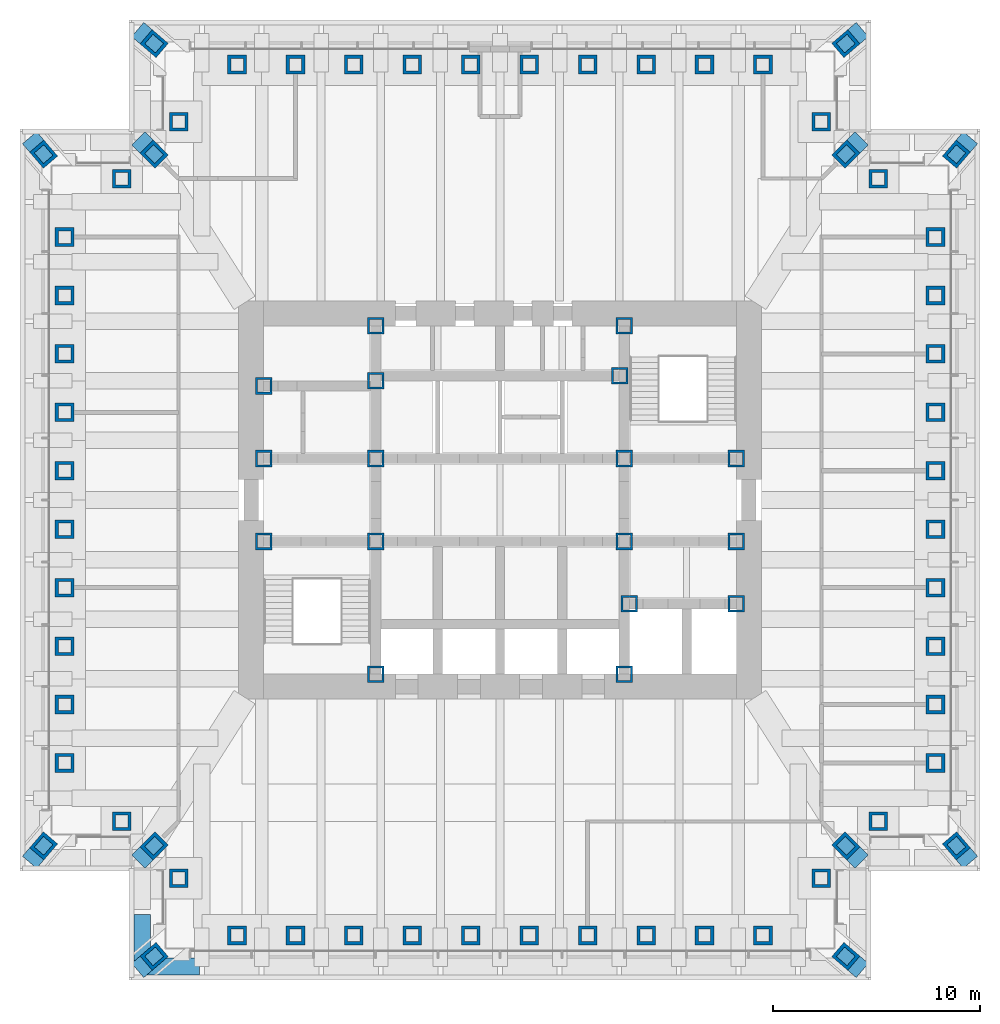
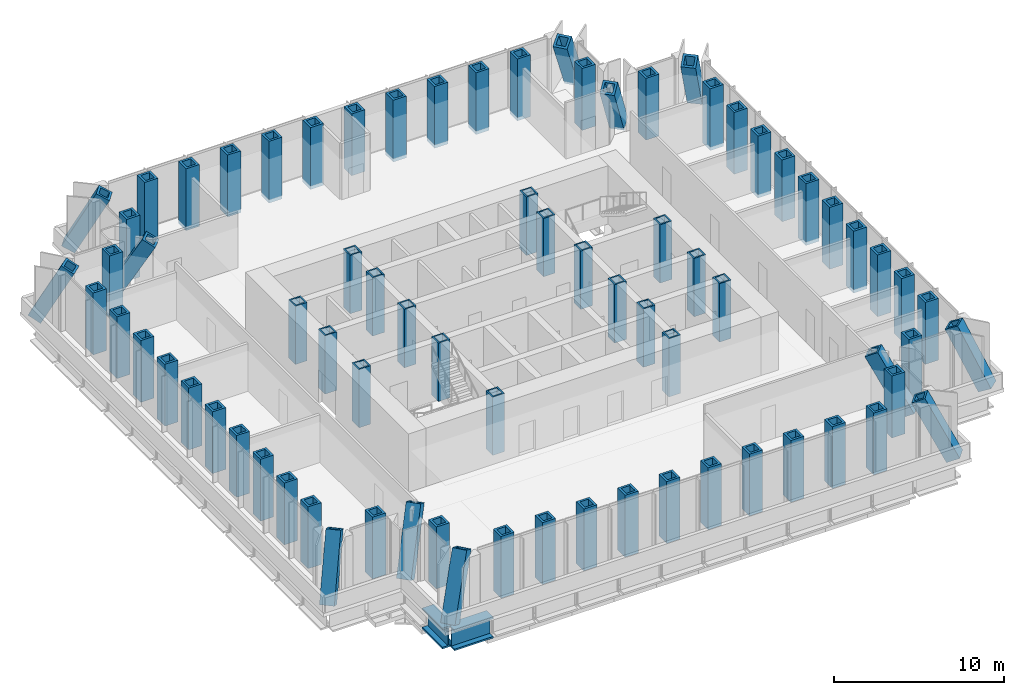
# One storey, part 1 of 12: 77 columns, 2 beams.
"""IFC4 building model written with IfcOpenShell, lengths in metres."""

import ifcopenshell
import ifcopenshell.guid

model = None  # the IFC model being written
_history = None  # IfcOwnerHistory: only IFC2X3 demands one
_inside = {}  # id of a spatial element -> (the spatial element, [elements in it])
_under = {}  # id of a project, library or spatial element -> (it, [spatial elements below it])
_declared = {}  # id of a project -> (the project, [libraries it declares])
_typed = {}  # id of a type object -> (the type object, [elements of that type])
_made_of = {}  # id of a material, layer set ... -> (it, [elements and type objects made of it])


def new_model(schema):
    """Start an empty IFC model of exactly this schema.

    Asked for "IFC4X3", IfcOpenShell would pick the latest addendum, in which some entities
    have other attributes; the version numbers below select the first issue.
    IFC2X3 requires an IfcOwnerHistory on every rooted entity: one is made here for all.
    """
    global model, _history
    if schema == "IFC4X3":
        model = ifcopenshell.file(schema_version=(4, 3, 0, 0))
    else:
        model = ifcopenshell.file(schema=schema)
    _inside.clear()
    _under.clear()
    _declared.clear()
    _typed.clear()
    _made_of.clear()
    _history = None
    if model.schema == "IFC2X3":
        org = make("IfcOrganization", Name="unknown")
        user = make(
            "IfcPersonAndOrganization",
            ThePerson=make("IfcPerson", FamilyName="unknown"),
            TheOrganization=org,
        )
        app = make(
            "IfcApplication",
            ApplicationDeveloper=org,
            Version="unknown",
            ApplicationFullName="unknown",
            ApplicationIdentifier="unknown",
        )
        _history = make(
            "IfcOwnerHistory",
            OwningUser=user,
            OwningApplication=app,
            ChangeAction="ADDED",
            CreationDate=0,
        )
    return model


def make(cls, **values):
    """One entity of the class cls with the attributes given. An attribute that is None is left unset."""
    return model.create_entity(
        cls, **{name: value for name, value in values.items() if value is not None}
    )


def rooted(cls, **values):
    """An entity with a GlobalId (a new one), such as an element, a storey or a relation."""
    return make(cls, GlobalId=ifcopenshell.guid.new(), OwnerHistory=_history, **values)


def si_unit(unit_type, name, prefix=None):
    """IfcSIUnit, for example si_unit("LENGTHUNIT", "METRE", prefix="MILLI")."""
    return make("IfcSIUnit", UnitType=unit_type, Prefix=prefix, Name=name)


def assignment(units):
    """IfcUnitAssignment: the units of a project."""
    return None if units is None else make("IfcUnitAssignment", Units=units)


def point(xyz):
    """IfcCartesianPoint."""
    return None if xyz is None else make("IfcCartesianPoint", Coordinates=xyz)


def direction(xyz):
    """IfcDirection."""
    return None if xyz is None else make("IfcDirection", DirectionRatios=xyz)


def frame(location, z_axis=None, x_axis=None):
    """IfcAxis2Placement3D, a coordinate frame: its origin and axes. An axis left out is left unset."""
    return make(
        "IfcAxis2Placement3D",
        Location=point(location),
        Axis=direction(z_axis),
        RefDirection=direction(x_axis),
    )


def frame_2d(location, x_axis=None):
    """IfcAxis2Placement2D, a coordinate frame in the plane: its origin and x axis."""
    return make(
        "IfcAxis2Placement2D", Location=point(location), RefDirection=direction(x_axis)
    )


def origin():
    """The frame at (0, 0, 0) with its axes left unset."""
    return frame((0.0, 0.0, 0.0))


def origin_2d():
    """The frame at (0, 0) in the plane with its x axis left unset."""
    return frame_2d((0.0, 0.0))


def place(relative_to, where):
    """IfcLocalPlacement: puts the frame where relative to a parent placement (None: the world)."""
    return make(
        "IfcLocalPlacement", PlacementRelTo=relative_to, RelativePlacement=where
    )


def context(
    kind, dimensions, precision=None, world=None, true_north=None, identifier=None
):
    """IfcGeometricRepresentationContext, for example the 3D "Model" context."""
    return make(
        "IfcGeometricRepresentationContext",
        ContextIdentifier=identifier,
        ContextType=kind,
        CoordinateSpaceDimension=dimensions,
        Precision=precision,
        WorldCoordinateSystem=world,
        TrueNorth=true_north,
    )


def subcontext(parent, identifier, kind, view, scale=None):
    """IfcGeometricRepresentationSubContext, for example "Body" below "Model"."""
    return make(
        "IfcGeometricRepresentationSubContext",
        ContextIdentifier=identifier,
        ContextType=kind,
        ParentContext=parent,
        TargetScale=scale,
        TargetView=view,
    )


def project(units=None, contexts=None):
    """IfcProject with its units and contexts."""
    return rooted(
        "IfcProject",
        Name="project",
        RepresentationContexts=contexts,
        UnitsInContext=assignment(units),
    )


def spatial(cls, under=None, at=None, **own):
    """A site, building, storey or space (cls), placed at a placement, below another one or the project."""
    s = rooted(cls, ObjectPlacement=at, **own)
    if under is not None:
        _under.setdefault(under.id(), (under, []))[1].append(s)
    return s


def profile(cls, at=None, kind="AREA", **sizes):
    """A parametric profile (cls). Its sizes go by their IFC names, for example OverallWidth=200.0."""
    return make(cls, ProfileType=kind, Position=at, **sizes)


def hollow_rectangle(**sizes):
    """IfcRectangleHollowProfileDef."""
    return profile("IfcRectangleHollowProfileDef", **sizes)


def i_section(**sizes):
    """IfcIShapeProfileDef."""
    return profile("IfcIShapeProfileDef", **sizes)


def extrude(swept, where, along, depth):
    """IfcExtrudedAreaSolid: the profile swept, set in the frame where, extruded along a direction by depth."""
    return make(
        "IfcExtrudedAreaSolid",
        SweptArea=swept,
        Position=where,
        ExtrudedDirection=direction(along),
        Depth=depth,
    )


def clip(a, b, op="DIFFERENCE"):
    """IfcBooleanClippingResult: the solid a cut by the half space b."""
    return make(
        "IfcBooleanClippingResult", Operator=op, FirstOperand=a, SecondOperand=b
    )


def halfspace(plane, agree):
    """IfcHalfSpaceSolid: all space on one side of the plane z = 0 of the frame plane."""
    return make(
        "IfcHalfSpaceSolid",
        BaseSurface=make("IfcPlane", Position=plane),
        AgreementFlag=agree,
    )


def shape(context_of_items, identifier, shape_type, items):
    """IfcShapeRepresentation: the items that make up one representation, for example the "Body"."""
    return make(
        "IfcShapeRepresentation",
        ContextOfItems=context_of_items,
        RepresentationIdentifier=identifier,
        RepresentationType=shape_type,
        Items=items,
    )


def material(Name=None, Category=None):
    """IfcMaterial."""
    return make("IfcMaterial", Name=Name, Category=Category)


def material_profile(
    of_material, cross_section, Name=None, Category=None, Priority=None
):
    """IfcMaterialProfile: a cross section and its material."""
    return make(
        "IfcMaterialProfile",
        Name=Name,
        Material=of_material,
        Profile=cross_section,
        Priority=Priority,
        Category=Category,
    )


def profile_set(profiles, Name=None, composite=None):
    """IfcMaterialProfileSet."""
    return make(
        "IfcMaterialProfileSet",
        Name=Name,
        MaterialProfiles=profiles,
        CompositeProfile=composite,
    )


def made_of(thing, what):
    """Note that an element or type object is made of a material, layer set ...; save() writes the relation."""
    if what is not None:
        _made_of.setdefault(what.id(), (what, []))[1].append(thing)
    return thing


def type_object(cls, material=None, **own):
    """A type object (cls), such as IfcWallType, which elements share."""
    return made_of(rooted(cls, **own), material)


def element(
    cls,
    number,
    at=None,
    inside=None,
    cuts=None,
    type_object=None,
    material=None,
    context=None,
    identifier="Body",
    shape_type=None,
    held_by="IfcProductDefinitionShape",
    body=None,
    shapes=None,
    **own,
):
    """One element of the class cls, such as IfcWall. Its Tag is "e" and its number.

    at: its placement. inside: the storey or other place that contains it. cuts: it is an
    opening in that element (IfcRelVoidsElement). A single representation is given by context,
    identifier, shape_type and body (its items); several are given by shapes. held_by: the class
    of the entity that holds the representations. save() writes the other relations.
    """
    e = rooted(cls, Tag="e%d" % number, ObjectPlacement=at, **own)
    if body is not None:
        shapes = [shape(context, identifier, shape_type, body)]
    if shapes is not None:
        e.Representation = make(held_by, Representations=shapes)
    if inside is not None:
        _inside.setdefault(inside.id(), (inside, []))[1].append(e)
    if cuts is not None:
        rooted(
            "IfcRelVoidsElement", RelatingBuildingElement=cuts, RelatedOpeningElement=e
        )
    if type_object is not None:
        _typed.setdefault(type_object.id(), (type_object, []))[1].append(e)
    return made_of(e, material)


def aggregate(whole, parts):
    """IfcRelAggregates: a whole, such as a stair, and the parts it consists of."""
    return rooted("IfcRelAggregates", RelatingObject=whole, RelatedObjects=parts)


def save(model, path):
    """Write the relations noted so far, then the file.

    IfcRelAggregates (storeys below a building ...), IfcRelContainedInSpatialStructure (elements
    in a storey), IfcRelDefinesByType, IfcRelAssociatesMaterial and IfcRelDeclares: one each for
    every whole, place, type object, material and project.
    """
    for whole, parts in _under.values():
        aggregate(whole, parts)
    for where, things in _inside.values():
        rooted(
            "IfcRelContainedInSpatialStructure",
            RelatedElements=things,
            RelatingStructure=where,
        )
    for kind, things in _typed.values():
        rooted("IfcRelDefinesByType", RelatedObjects=things, RelatingType=kind)
    for what, things in _made_of.values():
        rooted("IfcRelAssociatesMaterial", RelatedObjects=things, RelatingMaterial=what)
    for by, libraries in _declared.values():
        rooted("IfcRelDeclares", RelatingContext=by, RelatedDefinitions=libraries)
    model.write(path)


model = new_model("IFC4")

# Units and contexts
model_context = context("Model", 3, precision=1e-05, world=origin(), true_north=direction((0.0, 1.0)))
body_context = subcontext(model_context, "Body", "Model", "MODEL_VIEW")
ifc_project = project(units=[si_unit("LENGTHUNIT", "METRE"), si_unit("AREAUNIT", "SQUARE_METRE"), si_unit("VOLUMEUNIT", "CUBIC_METRE"), si_unit("PLANEANGLEUNIT", "RADIAN"), si_unit("MASSUNIT", "GRAM", prefix="KILO")], contexts=[model_context])

# Site, building, storey
site_placement = place(None, origin())
site = spatial("IfcSite", under=ifc_project, at=site_placement, CompositionType="ELEMENT")
building_placement = place(site_placement, origin())
building = spatial("IfcBuilding", under=site, at=building_placement, Name="Daluyong Arena Tower", CompositionType="ELEMENT")
storey_placement = place(building_placement, frame((0.0, 0.0, 181.300048828125)))
storey = spatial("IfcBuildingStorey", under=building, at=storey_placement, Name="L40", CompositionType="ELEMENT", Elevation=181.300048828125)

# Columns
ifc_material_1 = material(Name="Steel ASTM A572 Grade 50", Category="steel")
ifc_material_profile_1 = material_profile(ifc_material_1, hollow_rectangle(XDim=0.800048828125, YDim=0.800048828125, WallThickness=0.1, at=origin_2d()))
ifc_profile_set_1 = profile_set([ifc_material_profile_1], Name="Steel ASTM A572 Grade 50")
column_type_1 = type_object("IfcColumnType", Name="Core boundary column BX800X100", PredefinedType="COLUMN", material=ifc_profile_set_1)
for number, where, z_axis, x_axis, name in (
    (1, (44.60009765625, 78.0, 0.0), (0.0, 0.0, 1.0), (1.0, 0.0, 0.0), "core boundary column BC2"),
    (2, (44.60009765625, 82.0, 0.0), (0.0, 0.0, 1.0), (1.0, 0.0, 0.0), "core boundary column BC2"),
    (3, (44.60009765625, 85.5, 0.0), (0.0, 0.0, 1.0), (1.0, 0.0, 0.0), "core boundary column BC2"),
    (4, (50.0, 71.60009765625, 0.0), (0.0, 0.0, 1.0), (1.0, 0.0, 0.0), "core boundary column BC2"),
    (5, (50.0, 78.0, 0.0), (0.0, 0.0, 1.0), (1.0, 0.0, 0.0), "core boundary column BC2"),
    (6, (50.0, 82.0, 0.0), (0.0, 0.0, 1.0), (1.0, 0.0, 0.0), "core boundary column BC2"),
    (7, (50.0, 85.75, 0.0), (0.0, 0.0, 1.0), (1.0, 0.0, 0.0), "core boundary column BC2"),
    (8, (50.0, 88.39990234375, 0.0), (0.0, 0.0, 1.0), (1.0, 0.0, 0.0), "core boundary column BC2"),
    (9, (61.77490234375, 86.0, 0.0), (0.0, 0.0, 1.0), (1.0, 0.0, 0.0), "core boundary column BC2"),
    (10, (62.0, 71.60009765625, 0.0), (0.0, 0.0, 1.0), (1.0, 0.0, 0.0), "core boundary column BC2"),
    (11, (62.0, 78.0, 0.0), (0.0, 0.0, 1.0), (1.0, 0.0, 0.0), "core boundary column BC2"),
    (12, (62.0, 82.0, 0.0), (0.0, 0.0, 1.0), (1.0, 0.0, 0.0), "core boundary column BC2"),
    (13, (62.0, 88.39990234375, 0.0), (0.0, 0.0, 1.0), (1.0, 0.0, 0.0), "core boundary column BC2"),
    (14, (62.22509765625, 75.0, 0.0), (0.0, 0.0, 1.0), (1.0, 0.0, 0.0), "core boundary column BC2"),
    (15, (67.39990234375, 75.0, 0.0), (0.0, 0.0, 1.0), (1.0, 0.0, 0.0), "core boundary column BC2"),
    (16, (67.39990234375, 78.0, 0.0), (0.0, 0.0, 1.0), (1.0, 0.0, 0.0), "core boundary column BC2"),
    (17, (67.39990234375, 82.0, 0.0), (0.0, 0.0, 1.0), (1.0, 0.0, 0.0), "core boundary column BC2"),
):
    element("IfcColumn", number, at=place(storey_placement, frame(where, z_axis=z_axis, x_axis=x_axis)), inside=storey, type_object=column_type_1, Name=name, PredefinedType="COLUMN", context=body_context, shape_type="SweptSolid", body=[
        extrude(hollow_rectangle(XDim=0.800048828125, YDim=0.800048828125, WallThickness=0.1, at=origin_2d()), origin(), (0.0, 0.0, 1.0), 4.199951171875),
    ])
ifc_material_2 = material(Name="Steel ASTM A588 Grade 50", Category="steel")
ifc_material_profile_2 = material_profile(ifc_material_2, hollow_rectangle(XDim=0.89990234375, YDim=0.89990234375, WallThickness=0.15, at=origin_2d()))
ifc_profile_set_2 = profile_set([ifc_material_profile_2], Name="Steel ASTM A588 Grade 50")
column_type_2 = type_object("IfcColumnType", Name="Transition column BX900X150", PredefinedType="COLUMN", material=ifc_profile_set_2)
for number, where, z_axis, x_axis, name in (
    (18, (38.75, 57.5, -0.25), (0.349200787792, 0.299314960964, 0.887957974202), (-0.650791373456, 0.759256602365, 0.0), "transition column TT2"),
    (19, (73.25, 57.5, -0.25), (-0.349200787792, 0.299314960964, 0.887957974202), (-0.650791373456, -0.759256602365, 0.0), "transition column TT2"),
):
    element("IfcColumn", number, at=place(storey_placement, frame(where, z_axis=z_axis, x_axis=x_axis)), inside=storey, type_object=column_type_2, Name=name, PredefinedType="COLUMN", context=body_context, shape_type="Clipping", body=[
        clip(clip(extrude(hollow_rectangle(XDim=0.89990234375, YDim=0.89990234375, WallThickness=0.15, at=origin_2d()), origin(), (0.0, 0.0, 1.0), 5.011474609375), halfspace(frame((0.0, 0.0, 0.2353515625), z_axis=(0.0, 0.0, 1.0), x_axis=(1.0, 0.0, 0.0)), True)), halfspace(frame((0.0, 0.0, 4.776123046875), z_axis=(0.0, 0.0, -1.0), x_axis=(1.0, 0.0, 0.0)), True)),
    ])
column_1_placement = place(storey_placement, frame((73.25, 62.75, -0.25), z_axis=(-0.343685624304, 0.343685624304, 0.873933855216), x_axis=(-0.707106781187, -0.707106781187, 0.0)))
element("IfcColumn", 20, at=column_1_placement, inside=storey, type_object=column_type_2, Name="transition column TT2", PredefinedType="COLUMN", context=body_context, shape_type="Clipping", body=[
    clip(clip(extrude(hollow_rectangle(XDim=0.89990234375, YDim=0.89990234375, WallThickness=0.15, at=origin_2d()), origin(), (0.0, 0.0, 1.0), 5.091796875), halfspace(frame((0.0, 0.0, 0.252685546875), z_axis=(0.0, 0.0, 1.0), x_axis=(1.0, 0.0, 0.0)), True)), halfspace(frame((0.0, 0.0, 4.839111328125), z_axis=(0.0, 0.0, -1.0), x_axis=(1.0, 0.0, 0.0)), True)),
])
for number, where, z_axis, x_axis, name in (
    (21, (78.5, 62.75, -0.25), (-0.299314960964, 0.349200787792, 0.887957974202), (-0.759256602365, -0.650791373456, 0.0), "transition column TT2"),
    (22, (78.5, 97.25, -0.25), (-0.299314960964, -0.349200787792, 0.887957974202), (0.759256602365, -0.650791373456, 0.0), "transition column TT2"),
):
    element("IfcColumn", number, at=place(storey_placement, frame(where, z_axis=z_axis, x_axis=x_axis)), inside=storey, type_object=column_type_2, Name=name, PredefinedType="COLUMN", context=body_context, shape_type="Clipping", body=[
        clip(clip(extrude(hollow_rectangle(XDim=0.89990234375, YDim=0.89990234375, WallThickness=0.15, at=origin_2d()), origin(), (0.0, 0.0, 1.0), 5.011474609375), halfspace(frame((0.0, 0.0, 0.2353515625), z_axis=(0.0, 0.0, 1.0), x_axis=(1.0, 0.0, 0.0)), True)), halfspace(frame((0.0, 0.0, 4.776123046875), z_axis=(0.0, 0.0, -1.0), x_axis=(1.0, 0.0, 0.0)), True)),
    ])
column_2_placement = place(storey_placement, frame((73.25, 97.25, -0.25), z_axis=(-0.343685624304, -0.343685624304, 0.873933855216), x_axis=(0.707106781187, -0.707106781187, 0.0)))
element("IfcColumn", 23, at=column_2_placement, inside=storey, type_object=column_type_2, Name="transition column TT2", PredefinedType="COLUMN", context=body_context, shape_type="Clipping", body=[
    clip(clip(extrude(hollow_rectangle(XDim=0.89990234375, YDim=0.89990234375, WallThickness=0.15, at=origin_2d()), origin(), (0.0, 0.0, 1.0), 5.091796875), halfspace(frame((0.0, 0.0, 0.252685546875), z_axis=(0.0, 0.0, 1.0), x_axis=(1.0, 0.0, 0.0)), True)), halfspace(frame((0.0, 0.0, 4.839111328125), z_axis=(0.0, 0.0, -1.0), x_axis=(1.0, 0.0, 0.0)), True)),
])
for number, where, z_axis, x_axis, name in (
    (24, (73.25, 102.5, -0.25), (-0.349200787792, -0.299314960964, 0.887957974202), (0.650791373456, -0.759256602365, 0.0), "transition column TT2"),
    (25, (38.75, 102.5, -0.25), (0.349200787792, -0.299314960964, 0.887957974202), (0.650791373456, 0.759256602365, 0.0), "transition column TT2"),
):
    element("IfcColumn", number, at=place(storey_placement, frame(where, z_axis=z_axis, x_axis=x_axis)), inside=storey, type_object=column_type_2, Name=name, PredefinedType="COLUMN", context=body_context, shape_type="Clipping", body=[
        clip(clip(extrude(hollow_rectangle(XDim=0.89990234375, YDim=0.89990234375, WallThickness=0.15, at=origin_2d()), origin(), (0.0, 0.0, 1.0), 5.011474609375), halfspace(frame((0.0, 0.0, 0.2353515625), z_axis=(0.0, 0.0, 1.0), x_axis=(1.0, 0.0, 0.0)), True)), halfspace(frame((0.0, 0.0, 4.776123046875), z_axis=(0.0, 0.0, -1.0), x_axis=(1.0, 0.0, 0.0)), True)),
    ])
column_3_placement = place(storey_placement, frame((38.75, 97.25, -0.25), z_axis=(0.343685624304, -0.343685624304, 0.873933855216), x_axis=(0.707106781187, 0.707106781187, 0.0)))
element("IfcColumn", 26, at=column_3_placement, inside=storey, type_object=column_type_2, Name="transition column TT2", PredefinedType="COLUMN", context=body_context, shape_type="Clipping", body=[
    clip(clip(extrude(hollow_rectangle(XDim=0.89990234375, YDim=0.89990234375, WallThickness=0.15, at=origin_2d()), origin(), (0.0, 0.0, 1.0), 5.091796875), halfspace(frame((0.0, 0.0, 0.252685546875), z_axis=(0.0, 0.0, 1.0), x_axis=(1.0, 0.0, 0.0)), True)), halfspace(frame((0.0, 0.0, 4.839111328125), z_axis=(0.0, 0.0, -1.0), x_axis=(1.0, 0.0, 0.0)), True)),
])
for number, where, z_axis, x_axis, name in (
    (27, (33.5, 97.25, -0.25), (0.299314960964, -0.349200787792, 0.887957974202), (0.759256602365, 0.650791373456, 0.0), "transition column TT2"),
    (28, (33.5, 62.75, -0.25), (0.299314960964, 0.349200787792, 0.887957974202), (-0.759256602365, 0.650791373456, 0.0), "transition column TT2"),
):
    element("IfcColumn", number, at=place(storey_placement, frame(where, z_axis=z_axis, x_axis=x_axis)), inside=storey, type_object=column_type_2, Name=name, PredefinedType="COLUMN", context=body_context, shape_type="Clipping", body=[
        clip(clip(extrude(hollow_rectangle(XDim=0.89990234375, YDim=0.89990234375, WallThickness=0.15, at=origin_2d()), origin(), (0.0, 0.0, 1.0), 5.011474609375), halfspace(frame((0.0, 0.0, 0.2353515625), z_axis=(0.0, 0.0, 1.0), x_axis=(1.0, 0.0, 0.0)), True)), halfspace(frame((0.0, 0.0, 4.776123046875), z_axis=(0.0, 0.0, -1.0), x_axis=(1.0, 0.0, 0.0)), True)),
    ])
column_4_placement = place(storey_placement, frame((38.75, 62.75, -0.25), z_axis=(0.343685624304, 0.343685624304, 0.873933855216), x_axis=(-0.707106781187, 0.707106781187, 0.0)))
element("IfcColumn", 29, at=column_4_placement, inside=storey, type_object=column_type_2, Name="transition column TT2", PredefinedType="COLUMN", context=body_context, shape_type="Clipping", body=[
    clip(clip(extrude(hollow_rectangle(XDim=0.89990234375, YDim=0.89990234375, WallThickness=0.15, at=origin_2d()), origin(), (0.0, 0.0, 1.0), 5.091796875), halfspace(frame((0.0, 0.0, 0.252685546875), z_axis=(0.0, 0.0, 1.0), x_axis=(1.0, 0.0, 0.0)), True)), halfspace(frame((0.0, 0.0, 4.839111328125), z_axis=(0.0, 0.0, -1.0), x_axis=(1.0, 0.0, 0.0)), True)),
])
ifc_material_3 = material(Name="Steel ASTM A588 Grade 50", Category="steel")
ifc_material_profile_3 = material_profile(ifc_material_3, hollow_rectangle(XDim=0.89990234375, YDim=0.89990234375, WallThickness=0.15, at=origin_2d()))
ifc_profile_set_3 = profile_set([ifc_material_profile_3], Name="Steel ASTM A588 Grade 50")
column_type_3 = type_object("IfcColumnType", Name="Tube column BX900X150 BX900X150", PredefinedType="COLUMN", material=ifc_profile_set_3)
for number, where, z_axis, x_axis, name in (
    (30, (43.318115234375, 59.0, -0.25), (0.0, 0.0, 1.0), (1.0, 0.0, 0.0), "tube column bx900x150 TC5"),
    (31, (46.136474609375, 59.0, -0.25), (0.0, 0.0, 1.0), (1.0, 0.0, 0.0), "tube column bx900x150 TC5"),
    (32, (48.95458984375, 59.0, -0.25), (0.0, 0.0, 1.0), (1.0, 0.0, 0.0), "tube column bx900x150 TC5"),
    (33, (51.772705078125, 59.0, -0.25), (0.0, 0.0, 1.0), (1.0, 0.0, 0.0), "tube column bx900x150 TC5"),
    (34, (54.5908203125, 59.0, -0.25), (0.0, 0.0, 1.0), (1.0, 0.0, 0.0), "tube column bx900x150 TC5"),
    (35, (57.4091796875, 59.0, -0.25), (0.0, 0.0, 1.0), (1.0, 0.0, 0.0), "tube column bx900x150 TC5"),
    (36, (60.227294921875, 59.0, -0.25), (0.0, 0.0, 1.0), (1.0, 0.0, 0.0), "tube column bx900x150 TC5"),
    (37, (63.04541015625, 59.0, -0.25), (0.0, 0.0, 1.0), (1.0, 0.0, 0.0), "tube column bx900x150 TC5"),
    (38, (65.863525390625, 59.0, -0.25), (0.0, 0.0, 1.0), (1.0, 0.0, 0.0), "tube column bx900x150 TC5"),
    (39, (68.681884765625, 59.0, -0.25), (0.0, 0.0, 1.0), (1.0, 0.0, 0.0), "tube column bx900x150 TC5"),
    (40, (71.5, 61.75, -0.25), (0.0, 0.0, 1.0), (0.0, 1.0, 0.0), "tube column bx900x150 TC5"),
    (41, (74.25, 64.5, -0.25), (0.0, 0.0, 1.0), (1.0, 0.0, 0.0), "tube column bx900x150 TC5"),
    (42, (77.0, 67.318115234375, -0.25), (0.0, 0.0, 1.0), (0.0, 1.0, 0.0), "tube column bx900x150 TC5"),
    (43, (77.0, 70.136474609375, -0.25), (0.0, 0.0, 1.0), (0.0, 1.0, 0.0), "tube column bx900x150 TC5"),
    (44, (77.0, 72.95458984375, -0.25), (0.0, 0.0, 1.0), (0.0, 1.0, 0.0), "tube column bx900x150 TC5"),
    (45, (77.0, 75.772705078125, -0.25), (0.0, 0.0, 1.0), (0.0, 1.0, 0.0), "tube column bx900x150 TC5"),
    (46, (77.0, 78.5908203125, -0.25), (0.0, 0.0, 1.0), (0.0, 1.0, 0.0), "tube column bx900x150 TC5"),
    (47, (77.0, 81.4091796875, -0.25), (0.0, 0.0, 1.0), (0.0, 1.0, 0.0), "tube column bx900x150 TC5"),
    (48, (77.0, 84.227294921875, -0.25), (0.0, 0.0, 1.0), (0.0, 1.0, 0.0), "tube column bx900x150 TC5"),
    (49, (77.0, 87.04541015625, -0.25), (0.0, 0.0, 1.0), (0.0, 1.0, 0.0), "tube column bx900x150 TC5"),
    (50, (77.0, 89.863525390625, -0.25), (0.0, 0.0, 1.0), (0.0, 1.0, 0.0), "tube column bx900x150 TC5"),
    (51, (77.0, 92.681884765625, -0.25), (0.0, 0.0, 1.0), (0.0, 1.0, 0.0), "tube column bx900x150 TC5"),
    (52, (74.25, 95.5, -0.25), (0.0, 0.0, 1.0), (1.0, 0.0, 0.0), "tube column bx900x150 TC5"),
    (53, (71.5, 98.25, -0.25), (0.0, 0.0, 1.0), (0.0, 1.0, 0.0), "tube column bx900x150 TC5"),
    (54, (68.681884765625, 101.0, -0.25), (0.0, 0.0, 1.0), (1.0, 0.0, 0.0), "tube column bx900x150 TC5"),
    (55, (65.863525390625, 101.0, -0.25), (0.0, 0.0, 1.0), (1.0, 0.0, 0.0), "tube column bx900x150 TC5"),
    (56, (63.04541015625, 101.0, -0.25), (0.0, 0.0, 1.0), (1.0, 0.0, 0.0), "tube column bx900x150 TC5"),
    (57, (60.227294921875, 101.0, -0.25), (0.0, 0.0, 1.0), (1.0, 0.0, 0.0), "tube column bx900x150 TC5"),
    (58, (57.4091796875, 101.0, -0.25), (0.0, 0.0, 1.0), (1.0, 0.0, 0.0), "tube column bx900x150 TC5"),
    (59, (54.5908203125, 101.0, -0.25), (0.0, 0.0, 1.0), (1.0, 0.0, 0.0), "tube column bx900x150 TC5"),
    (60, (51.772705078125, 101.0, -0.25), (0.0, 0.0, 1.0), (1.0, 0.0, 0.0), "tube column bx900x150 TC5"),
    (61, (48.95458984375, 101.0, -0.25), (0.0, 0.0, 1.0), (1.0, 0.0, 0.0), "tube column bx900x150 TC5"),
    (62, (46.136474609375, 101.0, -0.25), (0.0, 0.0, 1.0), (1.0, 0.0, 0.0), "tube column bx900x150 TC5"),
    (63, (43.318115234375, 101.0, -0.25), (0.0, 0.0, 1.0), (1.0, 0.0, 0.0), "tube column bx900x150 TC5"),
    (64, (40.5, 98.25, -0.25), (0.0, 0.0, 1.0), (0.0, 1.0, 0.0), "tube column bx900x150 TC5"),
    (65, (37.75, 95.5, -0.25), (0.0, 0.0, 1.0), (1.0, 0.0, 0.0), "tube column bx900x150 TC5"),
    (66, (35.0, 92.681884765625, -0.25), (0.0, 0.0, 1.0), (0.0, 1.0, 0.0), "tube column bx900x150 TC5"),
    (67, (35.0, 89.863525390625, -0.25), (0.0, 0.0, 1.0), (0.0, 1.0, 0.0), "tube column bx900x150 TC5"),
    (68, (35.0, 87.04541015625, -0.25), (0.0, 0.0, 1.0), (0.0, 1.0, 0.0), "tube column bx900x150 TC5"),
    (69, (35.0, 84.227294921875, -0.25), (0.0, 0.0, 1.0), (0.0, 1.0, 0.0), "tube column bx900x150 TC5"),
    (70, (35.0, 81.4091796875, -0.25), (0.0, 0.0, 1.0), (0.0, 1.0, 0.0), "tube column bx900x150 TC5"),
    (71, (35.0, 78.5908203125, -0.25), (0.0, 0.0, 1.0), (0.0, 1.0, 0.0), "tube column bx900x150 TC5"),
    (72, (35.0, 75.772705078125, -0.25), (0.0, 0.0, 1.0), (0.0, 1.0, 0.0), "tube column bx900x150 TC5"),
    (73, (35.0, 72.95458984375, -0.25), (0.0, 0.0, 1.0), (0.0, 1.0, 0.0), "tube column bx900x150 TC5"),
    (74, (35.0, 70.136474609375, -0.25), (0.0, 0.0, 1.0), (0.0, 1.0, 0.0), "tube column bx900x150 TC5"),
    (75, (35.0, 67.318115234375, -0.25), (0.0, 0.0, 1.0), (0.0, 1.0, 0.0), "tube column bx900x150 TC5"),
    (76, (37.75, 64.5, -0.25), (0.0, 0.0, 1.0), (1.0, 0.0, 0.0), "tube column bx900x150 TC5"),
    (77, (40.5, 61.75, -0.25), (0.0, 0.0, 1.0), (0.0, 1.0, 0.0), "tube column bx900x150 TC5"),
):
    element("IfcColumn", number, at=place(storey_placement, frame(where, z_axis=z_axis, x_axis=x_axis)), inside=storey, type_object=column_type_3, Name=name, PredefinedType="COLUMN", context=body_context, shape_type="SweptSolid", body=[
        extrude(hollow_rectangle(XDim=0.89990234375, YDim=0.89990234375, WallThickness=0.15, at=origin_2d()), origin(), (0.0, 0.0, 1.0), 4.449951171875),
    ])

# Beams
ifc_material_4 = material(Name="Steel ASTM A588 Grade 50", Category="steel")
ifc_material_profile_4 = material_profile(ifc_material_4, i_section(OverallWidth=0.800048828125, OverallDepth=1.5, WebThickness=0.05, FlangeThickness=0.12, at=origin_2d()))
ifc_profile_set_4 = profile_set([ifc_material_profile_4], Name="Steel ASTM A588 Grade 50")
beam_type = type_object("IfcBeamType", Name="Spandrel Z2 PG1500X800", PredefinedType="SPANDREL", material=ifc_profile_set_4)
beam_1_placement = place(storey_placement, frame((38.864990234375, 57.5, -1.0), z_axis=(1.0, 0.0, 0.0), x_axis=(0.0, 1.0, 0.0)))
element("IfcBeam", 78, at=beam_1_placement, inside=storey, type_object=beam_type, Name="spandrel z2 SB5", PredefinedType="SPANDREL", context=body_context, shape_type="SweptSolid", body=[
    extrude(i_section(OverallWidth=0.800048828125, OverallDepth=1.5, WebThickness=0.05, FlangeThickness=0.12, at=origin_2d()), origin(), (0.0, 0.0, 1.0), 2.64501953125),
])
beam_2_placement = place(storey_placement, frame((38.75, 60.010009765625, -1.0), z_axis=(0.0, -1.0, 0.0), x_axis=(1.0, 0.0, 0.0)))
element("IfcBeam", 79, at=beam_2_placement, inside=storey, type_object=beam_type, Name="spandrel z2 SB5", PredefinedType="SPANDREL", context=body_context, shape_type="SweptSolid", body=[
    extrude(i_section(OverallWidth=0.800048828125, OverallDepth=1.5, WebThickness=0.05, FlangeThickness=0.12, at=origin_2d()), origin(), (0.0, 0.0, 1.0), 2.39501953125),
])

save(model, "model.ifc")
